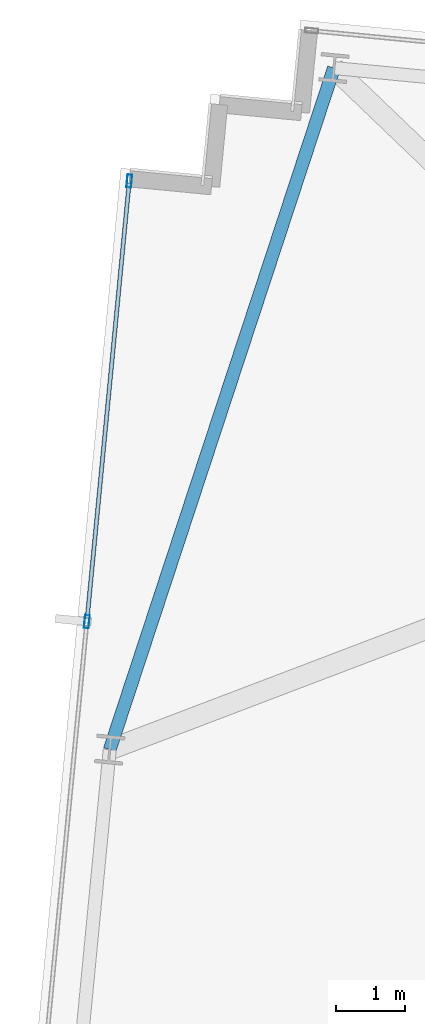
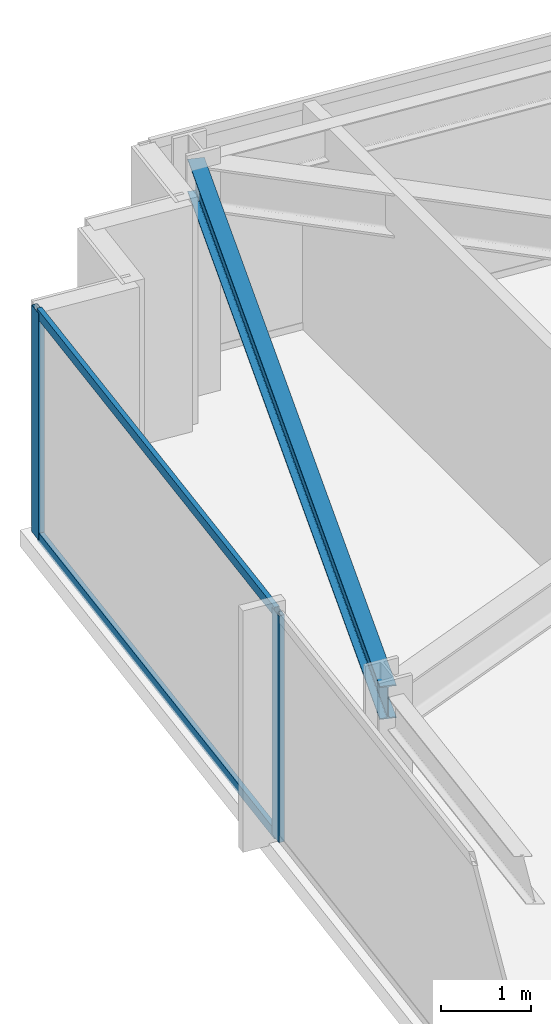
# One storey, part 21 of 38: 4 members, 1 beam, 1 element without a shape of its own.
"""IFC4 building model written with IfcOpenShell, lengths in metres."""

import ifcopenshell
import ifcopenshell.guid

model = None  # the IFC model being written
_history = None  # IfcOwnerHistory: only IFC2X3 demands one
_inside = {}  # id of a spatial element -> (the spatial element, [elements in it])
_under = {}  # id of a project, library or spatial element -> (it, [spatial elements below it])
_declared = {}  # id of a project -> (the project, [libraries it declares])
_typed = {}  # id of a type object -> (the type object, [elements of that type])
_made_of = {}  # id of a material, layer set ... -> (it, [elements and type objects made of it])


def new_model(schema):
    """Start an empty IFC model of exactly this schema.

    Asked for "IFC4X3", IfcOpenShell would pick the latest addendum, in which some entities
    have other attributes; the version numbers below select the first issue.
    IFC2X3 requires an IfcOwnerHistory on every rooted entity: one is made here for all.
    """
    global model, _history
    if schema == "IFC4X3":
        model = ifcopenshell.file(schema_version=(4, 3, 0, 0))
    else:
        model = ifcopenshell.file(schema=schema)
    _inside.clear()
    _under.clear()
    _declared.clear()
    _typed.clear()
    _made_of.clear()
    _history = None
    if model.schema == "IFC2X3":
        org = make("IfcOrganization", Name="unknown")
        user = make(
            "IfcPersonAndOrganization",
            ThePerson=make("IfcPerson", FamilyName="unknown"),
            TheOrganization=org,
        )
        app = make(
            "IfcApplication",
            ApplicationDeveloper=org,
            Version="unknown",
            ApplicationFullName="unknown",
            ApplicationIdentifier="unknown",
        )
        _history = make(
            "IfcOwnerHistory",
            OwningUser=user,
            OwningApplication=app,
            ChangeAction="ADDED",
            CreationDate=0,
        )
    return model


def make(cls, **values):
    """One entity of the class cls with the attributes given. An attribute that is None is left unset."""
    return model.create_entity(
        cls, **{name: value for name, value in values.items() if value is not None}
    )


def rooted(cls, **values):
    """An entity with a GlobalId (a new one), such as an element, a storey or a relation."""
    return make(cls, GlobalId=ifcopenshell.guid.new(), OwnerHistory=_history, **values)


def si_unit(unit_type, name, prefix=None):
    """IfcSIUnit, for example si_unit("LENGTHUNIT", "METRE", prefix="MILLI")."""
    return make("IfcSIUnit", UnitType=unit_type, Prefix=prefix, Name=name)


def assignment(units):
    """IfcUnitAssignment: the units of a project."""
    return None if units is None else make("IfcUnitAssignment", Units=units)


def point(xyz):
    """IfcCartesianPoint."""
    return None if xyz is None else make("IfcCartesianPoint", Coordinates=xyz)


def direction(xyz):
    """IfcDirection."""
    return None if xyz is None else make("IfcDirection", DirectionRatios=xyz)


def frame(location, z_axis=None, x_axis=None):
    """IfcAxis2Placement3D, a coordinate frame: its origin and axes. An axis left out is left unset."""
    return make(
        "IfcAxis2Placement3D",
        Location=point(location),
        Axis=direction(z_axis),
        RefDirection=direction(x_axis),
    )


def frame_2d(location, x_axis=None):
    """IfcAxis2Placement2D, a coordinate frame in the plane: its origin and x axis."""
    return make(
        "IfcAxis2Placement2D", Location=point(location), RefDirection=direction(x_axis)
    )


def origin():
    """The frame at (0, 0, 0) with its axes left unset."""
    return frame((0.0, 0.0, 0.0))


def origin_2d():
    """The frame at (0, 0) in the plane with its x axis left unset."""
    return frame_2d((0.0, 0.0))


def place(relative_to, where):
    """IfcLocalPlacement: puts the frame where relative to a parent placement (None: the world)."""
    return make(
        "IfcLocalPlacement", PlacementRelTo=relative_to, RelativePlacement=where
    )


def context(
    kind, dimensions, precision=None, world=None, true_north=None, identifier=None
):
    """IfcGeometricRepresentationContext, for example the 3D "Model" context."""
    return make(
        "IfcGeometricRepresentationContext",
        ContextIdentifier=identifier,
        ContextType=kind,
        CoordinateSpaceDimension=dimensions,
        Precision=precision,
        WorldCoordinateSystem=world,
        TrueNorth=true_north,
    )


def subcontext(parent, identifier, kind, view, scale=None):
    """IfcGeometricRepresentationSubContext, for example "Body" below "Model"."""
    return make(
        "IfcGeometricRepresentationSubContext",
        ContextIdentifier=identifier,
        ContextType=kind,
        ParentContext=parent,
        TargetScale=scale,
        TargetView=view,
    )


def project(units=None, contexts=None):
    """IfcProject with its units and contexts."""
    return rooted(
        "IfcProject",
        Name="project",
        RepresentationContexts=contexts,
        UnitsInContext=assignment(units),
    )


def spatial(cls, under=None, at=None, **own):
    """A site, building, storey or space (cls), placed at a placement, below another one or the project."""
    s = rooted(cls, ObjectPlacement=at, **own)
    if under is not None:
        _under.setdefault(under.id(), (under, []))[1].append(s)
    return s


def profile(cls, at=None, kind="AREA", **sizes):
    """A parametric profile (cls). Its sizes go by their IFC names, for example OverallWidth=200.0."""
    return make(cls, ProfileType=kind, Position=at, **sizes)


def hollow_rectangle(**sizes):
    """IfcRectangleHollowProfileDef."""
    return profile("IfcRectangleHollowProfileDef", **sizes)


def i_section(**sizes):
    """IfcIShapeProfileDef."""
    return profile("IfcIShapeProfileDef", **sizes)


def extrude(swept, where, along, depth):
    """IfcExtrudedAreaSolid: the profile swept, set in the frame where, extruded along a direction by depth."""
    return make(
        "IfcExtrudedAreaSolid",
        SweptArea=swept,
        Position=where,
        ExtrudedDirection=direction(along),
        Depth=depth,
    )


def shape(context_of_items, identifier, shape_type, items):
    """IfcShapeRepresentation: the items that make up one representation, for example the "Body"."""
    return make(
        "IfcShapeRepresentation",
        ContextOfItems=context_of_items,
        RepresentationIdentifier=identifier,
        RepresentationType=shape_type,
        Items=items,
    )


def material(Name=None, Category=None):
    """IfcMaterial."""
    return make("IfcMaterial", Name=Name, Category=Category)


def material_profile(
    of_material, cross_section, Name=None, Category=None, Priority=None
):
    """IfcMaterialProfile: a cross section and its material."""
    return make(
        "IfcMaterialProfile",
        Name=Name,
        Material=of_material,
        Profile=cross_section,
        Priority=Priority,
        Category=Category,
    )


def profile_set(profiles, Name=None, composite=None):
    """IfcMaterialProfileSet."""
    return make(
        "IfcMaterialProfileSet",
        Name=Name,
        MaterialProfiles=profiles,
        CompositeProfile=composite,
    )


def made_of(thing, what):
    """Note that an element or type object is made of a material, layer set ...; save() writes the relation."""
    if what is not None:
        _made_of.setdefault(what.id(), (what, []))[1].append(thing)
    return thing


def type_object(cls, material=None, **own):
    """A type object (cls), such as IfcWallType, which elements share."""
    return made_of(rooted(cls, **own), material)


def element(
    cls,
    number,
    at=None,
    inside=None,
    cuts=None,
    type_object=None,
    material=None,
    context=None,
    identifier="Body",
    shape_type=None,
    held_by="IfcProductDefinitionShape",
    body=None,
    shapes=None,
    **own,
):
    """One element of the class cls, such as IfcWall. Its Tag is "e" and its number.

    at: its placement. inside: the storey or other place that contains it. cuts: it is an
    opening in that element (IfcRelVoidsElement). A single representation is given by context,
    identifier, shape_type and body (its items); several are given by shapes. held_by: the class
    of the entity that holds the representations. save() writes the other relations.
    """
    e = rooted(cls, Tag="e%d" % number, ObjectPlacement=at, **own)
    if body is not None:
        shapes = [shape(context, identifier, shape_type, body)]
    if shapes is not None:
        e.Representation = make(held_by, Representations=shapes)
    if inside is not None:
        _inside.setdefault(inside.id(), (inside, []))[1].append(e)
    if cuts is not None:
        rooted(
            "IfcRelVoidsElement", RelatingBuildingElement=cuts, RelatedOpeningElement=e
        )
    if type_object is not None:
        _typed.setdefault(type_object.id(), (type_object, []))[1].append(e)
    return made_of(e, material)


def aggregate(whole, parts):
    """IfcRelAggregates: a whole, such as a stair, and the parts it consists of."""
    return rooted("IfcRelAggregates", RelatingObject=whole, RelatedObjects=parts)


def save(model, path):
    """Write the relations noted so far, then the file.

    IfcRelAggregates (storeys below a building ...), IfcRelContainedInSpatialStructure (elements
    in a storey), IfcRelDefinesByType, IfcRelAssociatesMaterial and IfcRelDeclares: one each for
    every whole, place, type object, material and project.
    """
    for whole, parts in _under.values():
        aggregate(whole, parts)
    for where, things in _inside.values():
        rooted(
            "IfcRelContainedInSpatialStructure",
            RelatedElements=things,
            RelatingStructure=where,
        )
    for kind, things in _typed.values():
        rooted("IfcRelDefinesByType", RelatedObjects=things, RelatingType=kind)
    for what, things in _made_of.values():
        rooted("IfcRelAssociatesMaterial", RelatedObjects=things, RelatingMaterial=what)
    for by, libraries in _declared.values():
        rooted("IfcRelDeclares", RelatingContext=by, RelatedDefinitions=libraries)
    model.write(path)


model = new_model("IFC4")

# Units and contexts
model_context = context("Model", 3, precision=1e-05, world=origin(), true_north=direction((0.0, 1.0)))
body_context = subcontext(model_context, "Body", "Model", "MODEL_VIEW")
ifc_project = project(units=[si_unit("LENGTHUNIT", "METRE"), si_unit("AREAUNIT", "SQUARE_METRE"), si_unit("VOLUMEUNIT", "CUBIC_METRE"), si_unit("PLANEANGLEUNIT", "RADIAN"), si_unit("MASSUNIT", "GRAM", prefix="KILO")], contexts=[model_context])

# Site, building, storey
site_placement = place(None, origin())
site = spatial("IfcSite", under=ifc_project, at=site_placement, CompositionType="ELEMENT")
building_placement = place(site_placement, origin())
building = spatial("IfcBuilding", under=site, at=building_placement, Name="Yelkora Congress Tower", CompositionType="ELEMENT")
storey_placement = place(building_placement, frame((0.0, 0.0, 172.10009765625)))
storey = spatial("IfcBuildingStorey", under=building, at=storey_placement, Name="L47", CompositionType="ELEMENT", Elevation=172.10009765625)

# Beam
ifc_material_1 = material(Name="Steel S355J2", Category="steel")
ifc_material_profile_1 = material_profile(ifc_material_1, i_section(OverallWidth=0.18994140625, OverallDepth=0.449951171875, WebThickness=0.009521484375, FlangeThickness=0.0146484375, FilletRadius=0.02099609375, at=origin_2d()), Name="IPE 450")
ifc_profile_set_1 = profile_set([ifc_material_profile_1], Name="Steel S355J2")
beam_type = type_object("IfcBeamType", Name="BM-SPAN-IPE450", PredefinedType="SPANDREL", material=ifc_profile_set_1)
beam_placement = place(storey_placement, frame((7.388916015625, 50.390625, 2.85498046875), z_axis=(-0.312456737339, -0.949931990877, 0.0), x_axis=(0.949931990877, -0.312456737339, 0.0)))
element("IfcBeam", 1, at=beam_placement, inside=storey, type_object=beam_type, Name="L47 Perimeter Beam 16", PredefinedType="SPANDREL", context=body_context, shape_type="SweptSolid", body=[
    extrude(i_section(OverallWidth=0.18994140625, OverallDepth=0.449951171875, WebThickness=0.009521484375, FlangeThickness=0.0146484375, FilletRadius=0.02099609375, at=origin_2d()), origin(), (0.0, 0.0, 1.0), 10.4560546875),
])

# Curtain wall, members
ifc_material_2 = material(Name="Anodised aluminium and insulated glass", Category="aluminium")
curtain_wall_type = type_object("IfcCurtainWallType", Name="CW-SYS-B3", PredefinedType="NOTDEFINED", material=ifc_material_2)
curtain_wall_placement = place(storey_placement, origin())
curtain_wall = element("IfcCurtainWall", 2, at=curtain_wall_placement, inside=storey, type_object=curtain_wall_type, Name="L47 Unitised Curtain Wall 5", PredefinedType="NOTDEFINED")
ifc_material_3 = material(Name="Anodised aluminium 6063-T6", Category="aluminium")
ifc_material_profile_2 = material_profile(ifc_material_3, hollow_rectangle(XDim=0.070068359375, YDim=0.18994140625, WallThickness=0.00390625, at=origin_2d()), Name="ALU 70x190x4")
ifc_profile_set_2 = profile_set([ifc_material_profile_2], Name="Anodised aluminium 6063-T6")
member_type_1 = type_object("IfcMemberType", Name="MEM-ML-B3", PredefinedType="MULLION", material=ifc_profile_set_2)
member_1_placement = place(storey_placement, frame((3.7890625, 42.324462890625, 0.0), z_axis=(0.0, 0.0, 1.0), x_axis=(-0.995396242473, 0.095845294465, 0.0)))
member_1 = element("IfcMember", 3, at=member_1_placement, type_object=member_type_1, Name="CW-B3 mullion 5", PredefinedType="MULLION", context=body_context, shape_type="SweptSolid", body=[
    extrude(hollow_rectangle(XDim=0.070068359375, YDim=0.18994140625, WallThickness=0.00390625, at=origin_2d()), origin(), (0.0, 0.0, 1.0), 3.079833984375),
])
member_2_placement = place(storey_placement, frame((4.4072265625, 48.74365234375, 0.0), z_axis=(0.0, 0.0, 1.0), x_axis=(-0.995396242473, 0.095845294465, 0.0)))
member_2 = element("IfcMember", 4, at=member_2_placement, type_object=member_type_1, Name="CW-B3 mullion 6", PredefinedType="MULLION", context=body_context, shape_type="SweptSolid", body=[
    extrude(hollow_rectangle(XDim=0.070068359375, YDim=0.18994140625, WallThickness=0.00390625, at=origin_2d()), origin(), (0.0, 0.0, 1.0), 3.079833984375),
])
ifc_material_profile_3 = material_profile(ifc_material_3, hollow_rectangle(XDim=0.06005859375, YDim=0.1298828125, WallThickness=0.00390625, at=origin_2d()), Name="ALU 60x130x4")
ifc_profile_set_3 = profile_set([ifc_material_profile_3], Name="Anodised aluminium 6063-T6")
member_type_2 = type_object("IfcMemberType", Name="MEM-TR-B3", PredefinedType="USERDEFINED", material=ifc_profile_set_3)
member_3_placement = place(storey_placement, frame((3.79248046875, 42.359375, 0.02978515625), z_axis=(0.095834923543, 0.99539724102, 0.0), x_axis=(-0.99539724102, 0.095834923543, 0.0)))
member_3 = element("IfcMember", 5, at=member_3_placement, type_object=member_type_2, Name="CW-B3 transom 5.1", ObjectType="TRANSOM", PredefinedType="USERDEFINED", context=body_context, shape_type="SweptSolid", body=[
    extrude(hollow_rectangle(XDim=0.06005859375, YDim=0.1298828125, WallThickness=0.00390625, at=origin_2d()), origin(), (0.0, 0.0, 1.0), 6.37890625),
])
member_4_placement = place(storey_placement, frame((3.79248046875, 42.359375, 3.0498046875), z_axis=(0.095834923543, 0.99539724102, 0.0), x_axis=(-0.99539724102, 0.095834923543, 0.0)))
member_4 = element("IfcMember", 6, at=member_4_placement, type_object=member_type_2, Name="CW-B3 transom 5.2", ObjectType="TRANSOM", PredefinedType="USERDEFINED", context=body_context, shape_type="SweptSolid", body=[
    extrude(hollow_rectangle(XDim=0.06005859375, YDim=0.1298828125, WallThickness=0.00390625, at=origin_2d()), origin(), (0.0, 0.0, 1.0), 6.37890625),
])
aggregate(curtain_wall, [member_1, member_2, member_3, member_4])

save(model, "model.ifc")
